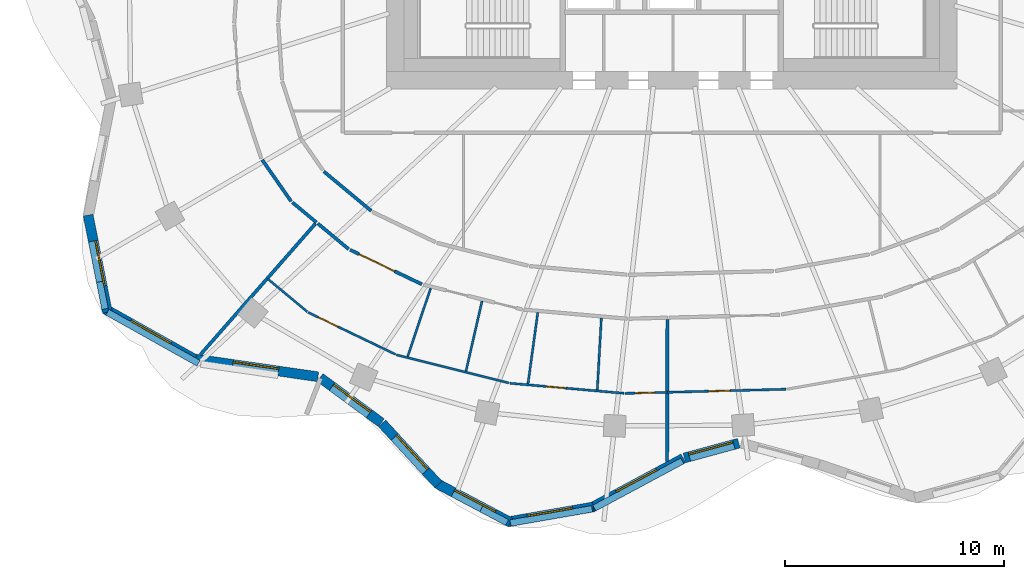
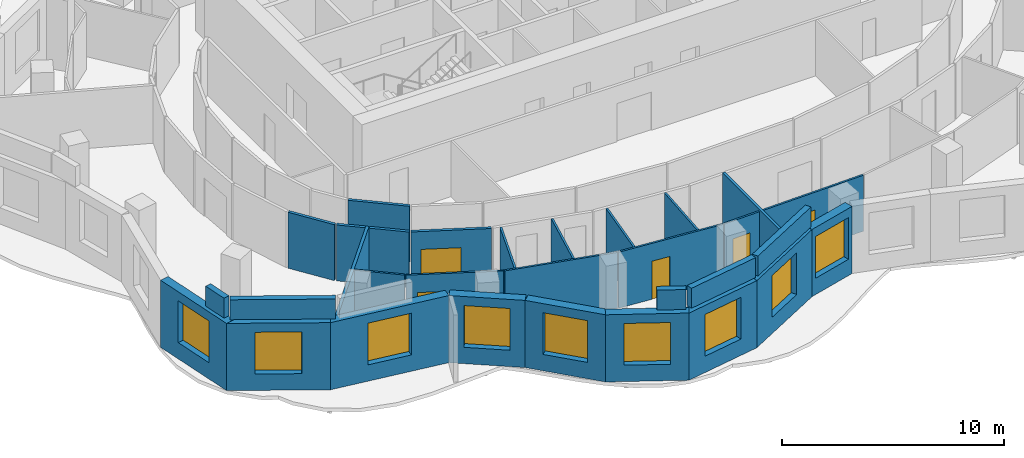
# One storey, part 3 of 11: 31 walls, 9 windows, 5 doors, 14 openings.
"""IFC4 building model written with IfcOpenShell, lengths in metres."""

from ifc_helpers import new_model, si_unit, direction, frame, frame_2d, origin, place, context, subcontext, project, spatial, rectangle, extrude, material, layer, layer_set, type_object, element, fill, save


model = new_model("IFC4")

# Units and contexts
model_context = context("Model", 3, precision=1e-05, world=origin(), true_north=direction((0.0, 1.0)))
body_context = subcontext(model_context, "Body", "Model", "MODEL_VIEW")
ifc_project = project(units=[si_unit("LENGTHUNIT", "METRE"), si_unit("AREAUNIT", "SQUARE_METRE"), si_unit("VOLUMEUNIT", "CUBIC_METRE"), si_unit("PLANEANGLEUNIT", "RADIAN"), si_unit("MASSUNIT", "GRAM", prefix="KILO")], contexts=[model_context])

# Site, building, storey
site_placement = place(None, origin())
site = spatial("IfcSite", under=ifc_project, at=site_placement, CompositionType="ELEMENT")
building_placement = place(site_placement, origin())
building = spatial("IfcBuilding", under=site, at=building_placement, Name="Rubra Terraces Tower", CompositionType="ELEMENT")
storey_placement = place(building_placement, frame((0.0, 0.0, 237.0)))
storey = spatial("IfcBuildingStorey", under=building, at=storey_placement, Name="L58", CompositionType="ELEMENT", Elevation=237.0)

# Wall, opening, window
ifc_material_1 = material(Name="Brick masonry red-brown", Category="masonry")
ifc_layer_1 = layer(ifc_material_1, 0.449951171875)
ifc_layer_set_1 = layer_set([ifc_layer_1], Name="Brick masonry red-brown")
wall_type_1 = type_object("IfcWallType", Name="Brick facade wall 450", PredefinedType="SOLIDWALL", material=ifc_layer_set_1)
wall_1_placement = place(storey_placement, frame((-26.609619140625, -8.747802734375, 0.0), z_axis=(0.0, 0.0, 1.0), x_axis=(0.193923166402, -0.981016720312, 0.0)))
wall_1 = element("IfcWall", 1, at=wall_1_placement, inside=storey, type_object=wall_type_1, Name="Facade wall L58 bay 23", PredefinedType="SOLIDWALL", context=body_context, shape_type="SweptSolid", body=[
    extrude(rectangle(XDim=4.518310546875, YDim=0.449951171875, at=frame_2d((2.25927734375, 0.0))), origin(), (0.0, 0.0, 1.0), 3.699951171875),
])
opening_1_placement = place(wall_1_placement, frame((1.209228515625, 0.0, 0.89990234375)))
opening_1 = element("IfcOpeningElement", 2, at=opening_1_placement, cuts=wall_1, Name="Opening W1B", PredefinedType="OPENING", context=body_context, shape_type="SweptSolid", body=[
    extrude(rectangle(XDim=2.10009765625, YDim=2.300048828125, at=frame_2d((1.050048828125, 1.14990234375))), frame((0.0, 0.23486328125, 0.0), z_axis=(0.0, -1.0, 0.0), x_axis=(1.0, 0.0, 0.0)), (0.0, 0.0, 1.0), 0.469970703125),
])
ifc_material_2 = material(Name="Clear glass in aluminium frame", Category="aluminium")
window_type = type_object("IfcWindowType", Name="Fixed deep-set window tall storey 2100 x 2300", PartitioningType="SINGLE_PANEL", PredefinedType="WINDOW", material=ifc_material_2)
window_1_placement = place(opening_1_placement, origin())
window_1 = element("IfcWindow", 3, at=window_1_placement, inside=storey, type_object=window_type, Name="Window L58 bay 23", OverallHeight=2.300048828125, OverallWidth=2.10009765625, PartitioningType="SINGLE_PANEL", PredefinedType="WINDOW", context=body_context, shape_type="SweptSolid", body=[
    extrude(rectangle(XDim=2.10009765625, YDim=2.300048828125, at=frame_2d((1.050048828125, 1.14990234375))), frame((0.0, 0.135009765625, 0.0), z_axis=(0.0, -1.0, 0.0), x_axis=(1.0, 0.0, 0.0)), (0.0, 0.0, 1.0), 0.06005859375),
])
fill(opening_1, window_1)

wall_2_placement = place(storey_placement, frame((-25.843994140625, -13.027587890625, 0.0), z_axis=(0.0, 0.0, 1.0), x_axis=(0.872346398261, -0.488888291373, 0.0)))
wall_2 = element("IfcWall", 4, at=wall_2_placement, inside=storey, type_object=wall_type_1, Name="Facade wall L58 bay 24", PredefinedType="SOLIDWALL", context=body_context, shape_type="SweptSolid", body=[
    extrude(rectangle(XDim=4.696044921875, YDim=0.449951171875, at=frame_2d((2.34814453125, 0.0))), origin(), (0.0, 0.0, 1.0), 3.699951171875),
])
opening_2_placement = place(wall_2_placement, frame((1.298095703125, 0.0, 0.89990234375)))
opening_2 = element("IfcOpeningElement", 5, at=opening_2_placement, cuts=wall_2, Name="Opening W1B", PredefinedType="OPENING", context=body_context, shape_type="SweptSolid", body=[
    extrude(rectangle(XDim=2.10009765625, YDim=2.300048828125, at=frame_2d((1.050048828125, 1.14990234375))), frame((0.0, 0.23486328125, 0.0), z_axis=(0.0, -1.0, 0.0), x_axis=(1.0, 0.0, 0.0)), (0.0, 0.0, 1.0), 0.469970703125),
])
window_2_placement = place(opening_2_placement, origin())
window_2 = element("IfcWindow", 6, at=window_2_placement, inside=storey, type_object=window_type, Name="Window L58 bay 24", OverallHeight=2.300048828125, OverallWidth=2.10009765625, PartitioningType="SINGLE_PANEL", PredefinedType="WINDOW", context=body_context, shape_type="SweptSolid", body=[
    extrude(rectangle(XDim=2.10009765625, YDim=2.300048828125, at=frame_2d((1.050048828125, 1.14990234375))), frame((0.0, 0.135009765625, 0.0), z_axis=(0.0, -1.0, 0.0), x_axis=(1.0, 0.0, 0.0)), (0.0, 0.0, 1.0), 0.06005859375),
])
fill(opening_2, window_2)

wall_3_placement = place(storey_placement, frame((-21.8251953125, -15.297119140625, 0.0), z_axis=(0.0, 0.0, 1.0), x_axis=(0.98971474215, -0.143054986527, 0.0)))
wall_3 = element("IfcWall", 7, at=wall_3_placement, inside=storey, type_object=wall_type_1, Name="Facade wall L58 bay 25", PredefinedType="SOLIDWALL", context=body_context, shape_type="SweptSolid", body=[
    extrude(rectangle(XDim=5.7529296875, YDim=0.449951171875, at=frame_2d((2.87646484375, 0.0))), origin(), (0.0, 0.0, 1.0), 3.699951171875),
])
opening_3_placement = place(wall_3_placement, frame((1.826416015625, 0.0, 0.89990234375)))
opening_3 = element("IfcOpeningElement", 8, at=opening_3_placement, cuts=wall_3, Name="Opening W1B", PredefinedType="OPENING", context=body_context, shape_type="SweptSolid", body=[
    extrude(rectangle(XDim=2.10009765625, YDim=2.300048828125, at=frame_2d((1.050048828125, 1.14990234375))), frame((0.0, 0.23486328125, 0.0), z_axis=(0.0, -1.0, 0.0), x_axis=(1.0, 0.0, 0.0)), (0.0, 0.0, 1.0), 0.469970703125),
])
window_3_placement = place(opening_3_placement, origin())
window_3 = element("IfcWindow", 9, at=window_3_placement, inside=storey, type_object=window_type, Name="Window L58 bay 25", OverallHeight=2.300048828125, OverallWidth=2.10009765625, PartitioningType="SINGLE_PANEL", PredefinedType="WINDOW", context=body_context, shape_type="SweptSolid", body=[
    extrude(rectangle(XDim=2.10009765625, YDim=2.300048828125, at=frame_2d((1.050048828125, 1.14990234375))), frame((0.0, 0.135009765625, 0.0), z_axis=(0.0, -1.0, 0.0), x_axis=(1.0, 0.0, 0.0)), (0.0, 0.0, 1.0), 0.06005859375),
])
fill(opening_3, window_3)

wall_4_placement = place(storey_placement, frame((-16.03564453125, -16.15771484375, 0.0), z_axis=(0.0, 0.0, 1.0), x_axis=(0.805181432967, -0.593028549064, 0.0)))
wall_4 = element("IfcWall", 10, at=wall_4_placement, inside=storey, type_object=wall_type_1, Name="Facade wall L58 bay 26", PredefinedType="SOLIDWALL", context=body_context, shape_type="SweptSolid", body=[
    extrude(rectangle(XDim=3.468505859375, YDim=0.449951171875, at=frame_2d((1.734375, 0.0))), origin(), (0.0, 0.0, 1.0), 3.699951171875),
])
opening_4_placement = place(wall_4_placement, frame((0.684326171875, 0.0, 0.89990234375)))
opening_4 = element("IfcOpeningElement", 11, at=opening_4_placement, cuts=wall_4, Name="Opening W1B", PredefinedType="OPENING", context=body_context, shape_type="SweptSolid", body=[
    extrude(rectangle(XDim=2.10009765625, YDim=2.300048828125, at=frame_2d((1.050048828125, 1.14990234375))), frame((0.0, 0.23486328125, 0.0), z_axis=(0.0, -1.0, 0.0), x_axis=(1.0, 0.0, 0.0)), (0.0, 0.0, 1.0), 0.469970703125),
])
window_4_placement = place(opening_4_placement, origin())
window_4 = element("IfcWindow", 12, at=window_4_placement, inside=storey, type_object=window_type, Name="Window L58 bay 26", OverallHeight=2.300048828125, OverallWidth=2.10009765625, PartitioningType="SINGLE_PANEL", PredefinedType="WINDOW", context=body_context, shape_type="SweptSolid", body=[
    extrude(rectangle(XDim=2.10009765625, YDim=2.300048828125, at=frame_2d((1.050048828125, 1.14990234375))), frame((0.0, 0.135009765625, 0.0), z_axis=(0.0, -1.0, 0.0), x_axis=(1.0, 0.0, 0.0)), (0.0, 0.0, 1.0), 0.06005859375),
])
fill(opening_4, window_4)

wall_5_placement = place(storey_placement, frame((-13.20947265625, -18.242919921875, 0.0), z_axis=(0.0, 0.0, 1.0), x_axis=(0.677612152497, -0.735419452278, 0.0)))
wall_5 = element("IfcWall", 13, at=wall_5_placement, inside=storey, type_object=wall_type_1, Name="Facade wall L58 bay 27", PredefinedType="SOLIDWALL", context=body_context, shape_type="SweptSolid", body=[
    extrude(rectangle(XDim=3.796875, YDim=0.449951171875, at=frame_2d((1.8984375, 0.0))), origin(), (0.0, 0.0, 1.0), 3.699951171875),
])
opening_5_placement = place(wall_5_placement, frame((0.848388671875, 0.0, 0.89990234375)))
opening_5 = element("IfcOpeningElement", 14, at=opening_5_placement, cuts=wall_5, Name="Opening W1B", PredefinedType="OPENING", context=body_context, shape_type="SweptSolid", body=[
    extrude(rectangle(XDim=2.10009765625, YDim=2.300048828125, at=frame_2d((1.050048828125, 1.14990234375))), frame((0.0, 0.23486328125, 0.0), z_axis=(0.0, -1.0, 0.0), x_axis=(1.0, 0.0, 0.0)), (0.0, 0.0, 1.0), 0.469970703125),
])
window_5_placement = place(opening_5_placement, origin())
window_5 = element("IfcWindow", 15, at=window_5_placement, inside=storey, type_object=window_type, Name="Window L58 bay 27", OverallHeight=2.300048828125, OverallWidth=2.10009765625, PartitioningType="SINGLE_PANEL", PredefinedType="WINDOW", context=body_context, shape_type="SweptSolid", body=[
    extrude(rectangle(XDim=2.10009765625, YDim=2.300048828125, at=frame_2d((1.050048828125, 1.14990234375))), frame((0.0, 0.135009765625, 0.0), z_axis=(0.0, -1.0, 0.0), x_axis=(1.0, 0.0, 0.0)), (0.0, 0.0, 1.0), 0.06005859375),
])
fill(opening_5, window_5)

wall_6_placement = place(storey_placement, frame((-10.692626953125, -20.9931640625, 0.0), z_axis=(0.0, 0.0, 1.0), x_axis=(0.883817790726, -0.46783128668, 0.0)))
wall_6 = element("IfcWall", 16, at=wall_6_placement, inside=storey, type_object=wall_type_1, Name="Facade wall L58 bay 28", PredefinedType="SOLIDWALL", context=body_context, shape_type="SweptSolid", body=[
    extrude(rectangle(XDim=3.776611328125, YDim=0.449951171875, at=frame_2d((1.88818359375, 0.0))), origin(), (0.0, 0.0, 1.0), 3.699951171875),
])
opening_6_placement = place(wall_6_placement, frame((0.83837890625, 0.0, 0.89990234375)))
opening_6 = element("IfcOpeningElement", 17, at=opening_6_placement, cuts=wall_6, Name="Opening W1B", PredefinedType="OPENING", context=body_context, shape_type="SweptSolid", body=[
    extrude(rectangle(XDim=2.10009765625, YDim=2.300048828125, at=frame_2d((1.050048828125, 1.14990234375))), frame((0.0, 0.23486328125, 0.0), z_axis=(0.0, -1.0, 0.0), x_axis=(1.0, 0.0, 0.0)), (0.0, 0.0, 1.0), 0.469970703125),
])
window_6_placement = place(opening_6_placement, origin())
window_6 = element("IfcWindow", 18, at=window_6_placement, inside=storey, type_object=window_type, Name="Window L58 bay 28", OverallHeight=2.300048828125, OverallWidth=2.10009765625, PartitioningType="SINGLE_PANEL", PredefinedType="WINDOW", context=body_context, shape_type="SweptSolid", body=[
    extrude(rectangle(XDim=2.10009765625, YDim=2.300048828125, at=frame_2d((1.050048828125, 1.14990234375))), frame((0.0, 0.135009765625, 0.0), z_axis=(0.0, -1.0, 0.0), x_axis=(1.0, 0.0, 0.0)), (0.0, 0.0, 1.0), 0.06005859375),
])
fill(opening_6, window_6)

wall_7_placement = place(storey_placement, frame((-7.49853515625, -22.7373046875, 0.0), z_axis=(0.0, 0.0, 1.0), x_axis=(0.98521220506, 0.171338585849, 0.0)))
wall_7 = element("IfcWall", 19, at=wall_7_placement, inside=storey, type_object=wall_type_1, Name="Facade wall L58 bay 29", PredefinedType="SOLIDWALL", context=body_context, shape_type="SweptSolid", body=[
    extrude(rectangle(XDim=3.979736328125, YDim=0.449951171875, at=frame_2d((1.98974609375, 0.0))), origin(), (0.0, 0.0, 1.0), 3.699951171875),
])
opening_7_placement = place(wall_7_placement, frame((0.93994140625, 0.0, 0.89990234375)))
opening_7 = element("IfcOpeningElement", 20, at=opening_7_placement, cuts=wall_7, Name="Opening W1B", PredefinedType="OPENING", context=body_context, shape_type="SweptSolid", body=[
    extrude(rectangle(XDim=2.10009765625, YDim=2.300048828125, at=frame_2d((1.050048828125, 1.14990234375))), frame((0.0, 0.23486328125, 0.0), z_axis=(0.0, -1.0, 0.0), x_axis=(1.0, 0.0, 0.0)), (0.0, 0.0, 1.0), 0.469970703125),
])
window_7_placement = place(opening_7_placement, origin())
window_7 = element("IfcWindow", 21, at=window_7_placement, inside=storey, type_object=window_type, Name="Window L58 bay 29", OverallHeight=2.300048828125, OverallWidth=2.10009765625, PartitioningType="SINGLE_PANEL", PredefinedType="WINDOW", context=body_context, shape_type="SweptSolid", body=[
    extrude(rectangle(XDim=2.10009765625, YDim=2.300048828125, at=frame_2d((1.050048828125, 1.14990234375))), frame((0.0, 0.135009765625, 0.0), z_axis=(0.0, -1.0, 0.0), x_axis=(1.0, 0.0, 0.0)), (0.0, 0.0, 1.0), 0.06005859375),
])
fill(opening_7, window_7)

wall_8_placement = place(storey_placement, frame((-3.6455078125, -22.07861328125, 0.0), z_axis=(0.0, 0.0, 1.0), x_axis=(0.881279133897, 0.472596115259, 0.0)))
wall_8 = element("IfcWall", 22, at=wall_8_placement, inside=storey, type_object=wall_type_1, Name="Facade wall L58 bay 30", PredefinedType="SOLIDWALL", context=body_context, shape_type="SweptSolid", body=[
    extrude(rectangle(XDim=4.736572265625, YDim=0.449951171875, at=frame_2d((2.3681640625, 0.0))), origin(), (0.0, 0.0, 1.0), 3.699951171875),
])
opening_8_placement = place(wall_8_placement, frame((1.318115234375, 0.0, 0.89990234375)))
opening_8 = element("IfcOpeningElement", 23, at=opening_8_placement, cuts=wall_8, Name="Opening W1B", PredefinedType="OPENING", context=body_context, shape_type="SweptSolid", body=[
    extrude(rectangle(XDim=2.10009765625, YDim=2.300048828125, at=frame_2d((1.050048828125, 1.14990234375))), frame((0.0, 0.23486328125, 0.0), z_axis=(0.0, -1.0, 0.0), x_axis=(1.0, 0.0, 0.0)), (0.0, 0.0, 1.0), 0.469970703125),
])
window_8_placement = place(opening_8_placement, origin())
window_8 = element("IfcWindow", 24, at=window_8_placement, inside=storey, type_object=window_type, Name="Window L58 bay 30", OverallHeight=2.300048828125, OverallWidth=2.10009765625, PartitioningType="SINGLE_PANEL", PredefinedType="WINDOW", context=body_context, shape_type="SweptSolid", body=[
    extrude(rectangle(XDim=2.10009765625, YDim=2.300048828125, at=frame_2d((1.050048828125, 1.14990234375))), frame((0.0, 0.135009765625, 0.0), z_axis=(0.0, -1.0, 0.0), x_axis=(1.0, 0.0, 0.0)), (0.0, 0.0, 1.0), 0.06005859375),
])
fill(opening_8, window_8)

wall_9_placement = place(storey_placement, frame((0.576171875, -19.8212890625, 0.0), z_axis=(0.0, 0.0, 1.0), x_axis=(0.965009398019, 0.262215296532, 0.0)))
wall_9 = element("IfcWall", 25, at=wall_9_placement, inside=storey, type_object=wall_type_1, Name="Facade wall L58 bay 31", PredefinedType="SOLIDWALL", context=body_context, shape_type="SweptSolid", body=[
    extrude(rectangle(XDim=2.565185546875, YDim=0.449951171875, at=frame_2d((1.28271484375, 0.0))), origin(), (0.0, 0.0, 1.0), 3.699951171875),
])
opening_9_placement = place(wall_9_placement, frame((0.232666015625, 0.0, 0.89990234375)))
opening_9 = element("IfcOpeningElement", 26, at=opening_9_placement, cuts=wall_9, Name="Opening W1B", PredefinedType="OPENING", context=body_context, shape_type="SweptSolid", body=[
    extrude(rectangle(XDim=2.10009765625, YDim=2.300048828125, at=frame_2d((1.050048828125, 1.14990234375))), frame((0.0, 0.23486328125, 0.0), z_axis=(0.0, -1.0, 0.0), x_axis=(1.0, 0.0, 0.0)), (0.0, 0.0, 1.0), 0.469970703125),
])
window_9_placement = place(opening_9_placement, origin())
window_9 = element("IfcWindow", 27, at=window_9_placement, inside=storey, type_object=window_type, Name="Window L58 bay 31", OverallHeight=2.300048828125, OverallWidth=2.10009765625, PartitioningType="SINGLE_PANEL", PredefinedType="WINDOW", context=body_context, shape_type="SweptSolid", body=[
    extrude(rectangle(XDim=2.10009765625, YDim=2.300048828125, at=frame_2d((1.050048828125, 1.14990234375))), frame((0.0, 0.135009765625, 0.0), z_axis=(0.0, -1.0, 0.0), x_axis=(1.0, 0.0, 0.0)), (0.0, 0.0, 1.0), 0.06005859375),
])
fill(opening_9, window_9)

# Walls
ifc_layer_2 = layer(ifc_material_1, 0.300048828125)
ifc_layer_set_2 = layer_set([ifc_layer_2], Name="Brick masonry red-brown")
wall_type_2 = type_object("IfcWallType", Name="Brick parapet 300", PredefinedType="PARAPET", material=ifc_layer_set_2)
wall_10_placement = place(storey_placement, frame((-26.084228515625, -11.791748046875, 3.89990234375), z_axis=(0.0, 0.0, 1.0), x_axis=(0.193846183911, -0.981031934742, 0.0)))
element("IfcWall", 28, at=wall_10_placement, inside=storey, type_object=wall_type_2, Name="Parapet L58 bay 23", PredefinedType="PARAPET", context=body_context, shape_type="SweptSolid", body=[
    extrude(rectangle(XDim=1.261962890625, YDim=0.300048828125, at=frame_2d((0.630859375, 0.0))), origin(), (0.0, 0.0, 1.0), 1.10009765625),
])
wall_11_placement = place(storey_placement, frame((-25.733642578125, -13.175537109375, 3.89990234375), z_axis=(0.0, 0.0, 1.0), x_axis=(0.872345142407, -0.488890532245, 0.0)))
element("IfcWall", 29, at=wall_11_placement, inside=storey, type_object=wall_type_2, Name="Parapet L58 bay 24", PredefinedType="PARAPET", context=body_context, shape_type="SweptSolid", body=[
    extrude(rectangle(XDim=4.762939453125, YDim=0.300048828125, at=frame_2d((2.38134765625, 0.0))), origin(), (0.0, 0.0, 1.0), 1.10009765625),
])
wall_12_placement = place(storey_placement, frame((-8.681640625, -22.142578125, 3.89990234375), z_axis=(0.0, 0.0, 1.0), x_axis=(0.883787916347, -0.467887720419, 0.0)))
element("IfcWall", 30, at=wall_12_placement, inside=storey, type_object=wall_type_2, Name="Parapet L58 bay 28", PredefinedType="PARAPET", context=body_context, shape_type="SweptSolid", body=[
    extrude(rectangle(XDim=1.3291015625, YDim=0.300048828125, at=frame_2d((0.66455078125, 0.0))), origin(), (0.0, 0.0, 1.0), 1.10009765625),
])
wall_13_placement = place(storey_placement, frame((-7.35498046875, -22.78857421875, 3.89990234375), z_axis=(0.0, 0.0, 1.0), x_axis=(0.985197529684, 0.171422949176, 0.0)))
element("IfcWall", 31, at=wall_13_placement, inside=storey, type_object=wall_type_2, Name="Parapet L58 bay 29", PredefinedType="PARAPET", context=body_context, shape_type="SweptSolid", body=[
    extrude(rectangle(XDim=3.77978515625, YDim=0.300048828125, at=frame_2d((1.889892578125, 0.0))), origin(), (0.0, 0.0, 1.0), 1.10009765625),
])
wall_14_placement = place(storey_placement, frame((-3.52978515625, -22.105712890625, 3.89990234375), z_axis=(0.0, 0.0, 1.0), x_axis=(0.881258931682, 0.472633785643, 0.0)))
element("IfcWall", 32, at=wall_14_placement, inside=storey, type_object=wall_type_2, Name="Parapet L58 bay 30", PredefinedType="PARAPET", context=body_context, shape_type="SweptSolid", body=[
    extrude(rectangle(XDim=4.55029296875, YDim=0.300048828125, at=frame_2d((2.275146484375, 0.0))), origin(), (0.0, 0.0, 1.0), 1.10009765625),
])
ifc_material_3 = material(Name="Plasterboard on steel stud, mineral wool infill", Category="steel")
ifc_layer_3 = layer(ifc_material_3, 0.14990234375)
ifc_layer_set_3 = layer_set([ifc_layer_3], Name="Plasterboard on steel stud, mineral wool infill")
wall_type_3 = type_object("IfcWallType", Name="CORRIDOR PARTITION 150", PredefinedType="PARTITIONING", material=ifc_layer_set_3)
wall_15_placement = place(storey_placement, frame((-18.673828125, -6.231689453125, 0.0), z_axis=(0.0, 0.0, 1.0), x_axis=(0.572118665737, -0.820170855563, 0.0)))
element("IfcWall", 33, at=wall_15_placement, inside=storey, type_object=wall_type_3, Name="PARTITION", PredefinedType="PARTITIONING", context=body_context, shape_type="SweptSolid", body=[
    extrude(rectangle(XDim=2.30615234375, YDim=0.14990234375, at=frame_2d((1.153076171875, 0.0))), origin(), (0.0, 0.0, 1.0), 3.083984375),
])
wall_16_placement = place(storey_placement, frame((-17.296875, -8.1708984375, 0.0), z_axis=(0.0, 0.0, 1.0), x_axis=(0.769229150867, -0.638973014654, 0.0)))
element("IfcWall", 34, at=wall_16_placement, inside=storey, type_object=wall_type_3, Name="PARTITION", PredefinedType="PARTITIONING", context=body_context, shape_type="SweptSolid", body=[
    extrude(rectangle(XDim=1.42822265625, YDim=0.14990234375, at=frame_2d((0.714111328125, 0.0))), origin(), (0.0, 0.0, 1.0), 3.083984375),
])
wall_17_placement = place(storey_placement, frame((-16.140625, -9.13134765625, 0.0), z_axis=(0.0, 0.0, 1.0), x_axis=(0.769225656115, -0.638977221796, 0.0)))
element("IfcWall", 35, at=wall_17_placement, inside=storey, type_object=wall_type_3, Name="PARTITION", PredefinedType="PARTITIONING", context=body_context, shape_type="SweptSolid", body=[
    extrude(rectangle(XDim=1.831298828125, YDim=0.14990234375, at=frame_2d((0.91552734375, 0.0))), origin(), (0.0, 0.0, 1.0), 3.083984375),
])

# Wall, opening, door
wall_18_placement = place(storey_placement, frame((-14.664306640625, -10.333984375, 0.0), z_axis=(0.0, 0.0, 1.0), x_axis=(0.901507315282, -0.432763862278, 0.0)))
wall_18 = element("IfcWall", 36, at=wall_18_placement, inside=storey, type_object=wall_type_3, Name="PARTITION", PredefinedType="PARTITIONING", context=body_context, shape_type="SweptSolid", body=[
    extrude(rectangle(XDim=3.63037109375, YDim=0.14990234375, at=frame_2d((1.815185546875, 0.0))), origin(), (0.0, 0.0, 1.0), 3.083984375),
])
opening_10_placement = place(wall_18_placement, frame((0.449951171875, 0.0, 0.0)))
opening_10 = element("IfcOpeningElement", 37, at=opening_10_placement, cuts=wall_18, Name="Opening 58-102", PredefinedType="OPENING", context=body_context, shape_type="SweptSolid", body=[
    extrude(rectangle(XDim=1.800048828125, YDim=2.10009765625, at=frame_2d((0.89990234375, 1.050048828125))), frame((0.0, 0.0849609375, 0.0), z_axis=(0.0, -1.0, 0.0), x_axis=(1.0, 0.0, 0.0)), (0.0, 0.0, 1.0), 0.169921875),
])
ifc_material_4 = material(Name="Painted timber door leaf, double", Category="wood")
door_type_1 = type_object("IfcDoorType", Name="ROOM DOUBLE DOOR 1800 X 2100", OperationType="DOUBLE_DOOR_SINGLE_SWING", PredefinedType="DOOR", material=ifc_material_4)
door_1_placement = place(opening_10_placement, origin())
door_1 = element("IfcDoor", 38, at=door_1_placement, inside=storey, type_object=door_type_1, Name="DOOR 58-102", OperationType="DOUBLE_DOOR_SINGLE_SWING", OverallHeight=2.10009765625, OverallWidth=1.800048828125, PredefinedType="DOOR", context=body_context, shape_type="SweptSolid", body=[
    extrude(rectangle(XDim=1.800048828125, YDim=2.10009765625, at=frame_2d((0.89990234375, 1.050048828125))), frame((0.0, 0.02490234375, 0.0), z_axis=(0.0, -1.0, 0.0), x_axis=(1.0, 0.0, 0.0)), (0.0, 0.0, 1.0), 0.050048828125),
])
fill(opening_10, door_1)

# Wall
wall_19_placement = place(storey_placement, frame((-13.70166015625, -8.557373046875, 0.0), z_axis=(0.0, 0.0, 1.0), x_axis=(-0.769221825067, 0.638981833733, 0.0)))
element("IfcWall", 39, at=wall_19_placement, inside=storey, type_object=wall_type_3, Name="PARTITION", PredefinedType="PARTITIONING", context=body_context, shape_type="SweptSolid", body=[
    extrude(rectangle(XDim=2.8173828125, YDim=0.14990234375, at=frame_2d((1.40869140625, 0.0))), origin(), (0.0, 0.0, 1.0), 3.083984375),
])

# Wall, opening, door
ifc_material_5 = material(Name="Plasterboard on steel stud", Category="steel")
ifc_layer_4 = layer(ifc_material_5, 0.10009765625)
ifc_layer_set_4 = layer_set([ifc_layer_4], Name="Plasterboard on steel stud")
wall_type_4 = type_object("IfcWallType", Name="ROOM PARTITION 100", PredefinedType="PARTITIONING", material=ifc_layer_set_4)
wall_20_placement = place(storey_placement, frame((-0.226806640625, -16.82861328125, 0.0), z_axis=(0.0, 0.0, 1.0), x_axis=(-0.99966500172, -0.025882123859, 0.0)))
wall_20 = element("IfcWall", 40, at=wall_20_placement, inside=storey, type_object=wall_type_4, Name="PARTITION", PredefinedType="PARTITIONING", context=body_context, shape_type="SweptSolid", body=[
    extrude(rectangle(XDim=1.905517578125, YDim=0.10009765625, at=frame_2d((0.95263671875, 0.0))), origin(), (0.0, 0.0, 1.0), 3.083984375),
])
opening_11_placement = place(wall_20_placement, frame((0.550048828125, 0.0, 0.0)))
opening_11 = element("IfcOpeningElement", 41, at=opening_11_placement, cuts=wall_20, Name="Opening 58-107", PredefinedType="OPENING", context=body_context, shape_type="SweptSolid", body=[
    extrude(rectangle(XDim=0.89990234375, YDim=2.10009765625, at=frame_2d((0.449951171875, 1.050048828125))), frame((0.0, 0.06005859375, 0.0), z_axis=(0.0, -1.0, 0.0), x_axis=(1.0, 0.0, 0.0)), (0.0, 0.0, 1.0), 0.1201171875),
])
ifc_material_6 = material(Name="Painted timber door leaf", Category="wood")
door_type_2 = type_object("IfcDoorType", Name="ROOM DOOR 900 X 2100", OperationType="SINGLE_SWING_LEFT", PredefinedType="DOOR", material=ifc_material_6)
door_2_placement = place(opening_11_placement, origin())
door_2 = element("IfcDoor", 42, at=door_2_placement, inside=storey, type_object=door_type_2, Name="DOOR 58-107", OperationType="SINGLE_SWING_LEFT", OverallHeight=2.10009765625, OverallWidth=0.89990234375, PredefinedType="DOOR", context=body_context, shape_type="SweptSolid", body=[
    extrude(rectangle(XDim=0.89990234375, YDim=2.10009765625, at=frame_2d((0.449951171875, 1.050048828125))), frame((0.0, 0.02490234375, 0.0), z_axis=(0.0, -1.0, 0.0), x_axis=(1.0, 0.0, 0.0)), (0.0, 0.0, 1.0), 0.050048828125),
])
fill(opening_11, door_2)

wall_21_placement = place(storey_placement, frame((-2.181396484375, -16.87353515625, 0.0), z_axis=(0.0, 0.0, 1.0), x_axis=(-0.996143934904, 0.087734035321, 0.0)))
wall_21 = element("IfcWall", 43, at=wall_21_placement, inside=storey, type_object=wall_type_4, Name="PARTITION", PredefinedType="PARTITIONING", context=body_context, shape_type="SweptSolid", body=[
    extrude(rectangle(XDim=5.217529296875, YDim=0.10009765625, at=frame_2d((2.60888671875, 0.0))), origin(), (0.0, 0.0, 1.0), 3.083984375),
])
opening_12_placement = place(wall_21_placement, frame((2.6640625, 0.0, 0.0)))
opening_12 = element("IfcOpeningElement", 44, at=opening_12_placement, cuts=wall_21, Name="Opening 58-106", PredefinedType="OPENING", context=body_context, shape_type="SweptSolid", body=[
    extrude(rectangle(XDim=0.89990234375, YDim=2.10009765625, at=frame_2d((0.449951171875, 1.050048828125))), frame((0.0, 0.06005859375, 0.0), z_axis=(0.0, -1.0, 0.0), x_axis=(1.0, 0.0, 0.0)), (0.0, 0.0, 1.0), 0.1201171875),
])
door_3_placement = place(opening_12_placement, origin())
door_3 = element("IfcDoor", 45, at=door_3_placement, inside=storey, type_object=door_type_2, Name="DOOR 58-106", OperationType="SINGLE_SWING_LEFT", OverallHeight=2.10009765625, OverallWidth=0.89990234375, PredefinedType="DOOR", context=body_context, shape_type="SweptSolid", body=[
    extrude(rectangle(XDim=0.89990234375, YDim=2.10009765625, at=frame_2d((0.449951171875, 1.050048828125))), frame((0.0, 0.02490234375, 0.0), z_axis=(0.0, -1.0, 0.0), x_axis=(1.0, 0.0, 0.0)), (0.0, 0.0, 1.0), 0.050048828125),
])
fill(opening_12, door_3)

# Wall
wall_22_placement = place(storey_placement, frame((-7.427490234375, -16.403564453125, 0.0), z_axis=(0.0, 0.0, 1.0), x_axis=(-0.970009158253, 0.243068370845, 0.0)))
element("IfcWall", 46, at=wall_22_placement, inside=storey, type_object=wall_type_4, Name="PARTITION", PredefinedType="PARTITIONING", context=body_context, shape_type="SweptSolid", body=[
    extrude(rectangle(XDim=5.283203125, YDim=0.10009765625, at=frame_2d((2.6416015625, 0.0))), origin(), (0.0, 0.0, 1.0), 3.083984375),
])

# Wall, opening, door
wall_23_placement = place(storey_placement, frame((-12.597412109375, -15.09765625, 0.0), z_axis=(0.0, 0.0, 1.0), x_axis=(-0.901514437286, 0.432749025839, 0.0)))
wall_23 = element("IfcWall", 47, at=wall_23_placement, inside=storey, type_object=wall_type_4, Name="PARTITION", PredefinedType="PARTITIONING", context=body_context, shape_type="SweptSolid", body=[
    extrude(rectangle(XDim=4.419677734375, YDim=0.10009765625, at=frame_2d((2.2099609375, 0.0))), origin(), (0.0, 0.0, 1.0), 3.083984375),
])
opening_13_placement = place(wall_23_placement, frame((2.89990234375, 0.0, 0.0)))
opening_13 = element("IfcOpeningElement", 48, at=opening_13_placement, cuts=wall_23, Name="Opening 58-103", PredefinedType="OPENING", context=body_context, shape_type="SweptSolid", body=[
    extrude(rectangle(XDim=1.0, YDim=2.10009765625, at=frame_2d((0.5, 1.050048828125))), frame((0.0, 0.06005859375, 0.0), z_axis=(0.0, -1.0, 0.0), x_axis=(1.0, 0.0, 0.0)), (0.0, 0.0, 1.0), 0.1201171875),
])
door_type_3 = type_object("IfcDoorType", Name="ROOM DOOR 1000 X 2100", OperationType="SINGLE_SWING_LEFT", PredefinedType="DOOR", material=ifc_material_6)
door_4_placement = place(opening_13_placement, origin())
door_4 = element("IfcDoor", 49, at=door_4_placement, inside=storey, type_object=door_type_3, Name="DOOR 58-103", OperationType="SINGLE_SWING_RIGHT", OverallHeight=2.10009765625, OverallWidth=1.0, PredefinedType="DOOR", context=body_context, shape_type="SweptSolid", body=[
    extrude(rectangle(XDim=1.0, YDim=2.10009765625, at=frame_2d((0.5, 1.050048828125))), frame((0.0, 0.02490234375, 0.0), z_axis=(0.0, -1.0, 0.0), x_axis=(1.0, 0.0, 0.0)), (0.0, 0.0, 1.0), 0.050048828125),
])
fill(opening_13, door_4)

# Walls
wall_24_placement = place(storey_placement, frame((-16.6201171875, -13.153076171875, 0.0), z_axis=(0.0, 0.0, 1.0), x_axis=(-0.769217094577, 0.638987528369, 0.0)))
element("IfcWall", 50, at=wall_24_placement, inside=storey, type_object=wall_type_4, Name="PARTITION", PredefinedType="PARTITIONING", context=body_context, shape_type="SweptSolid", body=[
    extrude(rectangle(XDim=2.348876953125, YDim=0.10009765625, at=frame_2d((1.17431640625, 0.0))), origin(), (0.0, 0.0, 1.0), 3.083984375),
])
wall_25_placement = place(storey_placement, frame((-10.993896484375, -12.081787109375, 0.0), z_axis=(0.0, 0.0, 1.0), x_axis=(-0.319057304325, -0.947735425399, 0.0)))
element("IfcWall", 51, at=wall_25_placement, inside=storey, type_object=wall_type_4, Name="PARTITION", PredefinedType="PARTITIONING", context=body_context, shape_type="SweptSolid", body=[
    extrude(rectangle(XDim=3.28564453125, YDim=0.10009765625, at=frame_2d((1.642822265625, 0.0))), origin(), (0.0, 0.0, 1.0), 3.083984375),
])
wall_26_placement = place(storey_placement, frame((-8.651611328125, -12.6689453125, 0.0), z_axis=(0.0, 0.0, 1.0), x_axis=(-0.223144536662, -0.974785369073, 0.0)))
element("IfcWall", 52, at=wall_26_placement, inside=storey, type_object=wall_type_4, Name="PARTITION", PredefinedType="PARTITIONING", context=body_context, shape_type="SweptSolid", body=[
    extrude(rectangle(XDim=3.275634765625, YDim=0.10009765625, at=frame_2d((1.6376953125, 0.0))), origin(), (0.0, 0.0, 1.0), 3.083984375),
])
wall_27_placement = place(storey_placement, frame((-6.109375, -13.189697265625, 0.0), z_axis=(0.0, 0.0, 1.0), x_axis=(-0.135957093791, -0.990714726169, 0.0)))
element("IfcWall", 53, at=wall_27_placement, inside=storey, type_object=wall_type_4, Name="PARTITION", PredefinedType="PARTITIONING", context=body_context, shape_type="SweptSolid", body=[
    extrude(rectangle(XDim=3.279052734375, YDim=0.10009765625, at=frame_2d((1.6396484375, 0.0))), origin(), (0.0, 0.0, 1.0), 3.083984375),
])
wall_28_placement = place(storey_placement, frame((-3.211181640625, -13.445068359375, 0.0), z_axis=(0.0, 0.0, 1.0), x_axis=(-0.056703901856, -0.99839103938, 0.0)))
element("IfcWall", 54, at=wall_28_placement, inside=storey, type_object=wall_type_4, Name="PARTITION", PredefinedType="PARTITIONING", context=body_context, shape_type="SweptSolid", body=[
    extrude(rectangle(XDim=3.276611328125, YDim=0.10009765625, at=frame_2d((1.63818359375, 0.0))), origin(), (0.0, 0.0, 1.0), 3.083984375),
])

# Wall, opening, door
wall_29_placement = place(storey_placement, frame((5.2138671875, -16.687744140625, 0.0), z_axis=(0.0, 0.0, 1.0), x_axis=(-0.999664716631, -0.025893132747, 0.0)))
wall_29 = element("IfcWall", 55, at=wall_29_placement, inside=storey, type_object=wall_type_4, Name="PARTITION", PredefinedType="PARTITIONING", context=body_context, shape_type="SweptSolid", body=[
    extrude(rectangle(XDim=5.402587890625, YDim=0.10009765625, at=frame_2d((2.701171875, 0.0))), origin(), (0.0, 0.0, 1.0), 3.083984375),
])
opening_14_placement = place(wall_29_placement, frame((2.550048828125, 0.0, 0.0)))
opening_14 = element("IfcOpeningElement", 56, at=opening_14_placement, cuts=wall_29, Name="Opening 58-124", PredefinedType="OPENING", context=body_context, shape_type="SweptSolid", body=[
    extrude(rectangle(XDim=1.0, YDim=2.10009765625, at=frame_2d((0.5, 1.050048828125))), frame((0.0, 0.06005859375, 0.0), z_axis=(0.0, -1.0, 0.0), x_axis=(1.0, 0.0, 0.0)), (0.0, 0.0, 1.0), 0.1201171875),
])
door_5_placement = place(opening_14_placement, origin())
door_5 = element("IfcDoor", 57, at=door_5_placement, inside=storey, type_object=door_type_3, Name="DOOR 58-124", OperationType="SINGLE_SWING_RIGHT", OverallHeight=2.10009765625, OverallWidth=1.0, PredefinedType="DOOR", context=body_context, shape_type="SweptSolid", body=[
    extrude(rectangle(XDim=1.0, YDim=2.10009765625, at=frame_2d((0.5, 1.050048828125))), frame((0.0, 0.02490234375, 0.0), z_axis=(0.0, -1.0, 0.0), x_axis=(1.0, 0.0, 0.0)), (0.0, 0.0, 1.0), 0.050048828125),
])
fill(opening_14, door_5)

# Walls
ifc_layer_5 = layer(ifc_material_5, 0.14990234375)
ifc_layer_set_5 = layer_set([ifc_layer_5], Name="Plasterboard on steel stud")
wall_type_5 = type_object("IfcWallType", Name="ROOM PARTITION 150", PredefinedType="PARTITIONING", material=ifc_layer_set_5)
wall_30_placement = place(storey_placement, frame((-21.492919921875, -15.11376953125, 0.0), z_axis=(0.0, 0.0, 1.0), x_axis=(0.659784254939, 0.751455079785, 0.0)))
element("IfcWall", 58, at=wall_30_placement, inside=storey, type_object=wall_type_5, Name="PARTITION", PredefinedType="PARTITIONING", context=body_context, shape_type="SweptSolid", body=[
    extrude(rectangle(XDim=7.94970703125, YDim=0.14990234375, at=frame_2d((3.974853515625, 0.0))), origin(), (0.0, 0.0, 1.0), 3.18408203125),
])
wall_31_placement = place(storey_placement, frame((-0.21435546875, -19.978759765625, 0.0), z_axis=(0.0, 0.0, 1.0), x_axis=(0.002336970626, 0.99999726928, 0.0)))
element("IfcWall", 59, at=wall_31_placement, inside=storey, type_object=wall_type_5, Name="PARTITION", PredefinedType="PARTITIONING", context=body_context, shape_type="SweptSolid", body=[
    extrude(rectangle(XDim=6.47705078125, YDim=0.14990234375, at=frame_2d((3.238525390625, 0.0))), origin(), (0.0, 0.0, 1.0), 3.18408203125),
])

save(model, "model.ifc")
